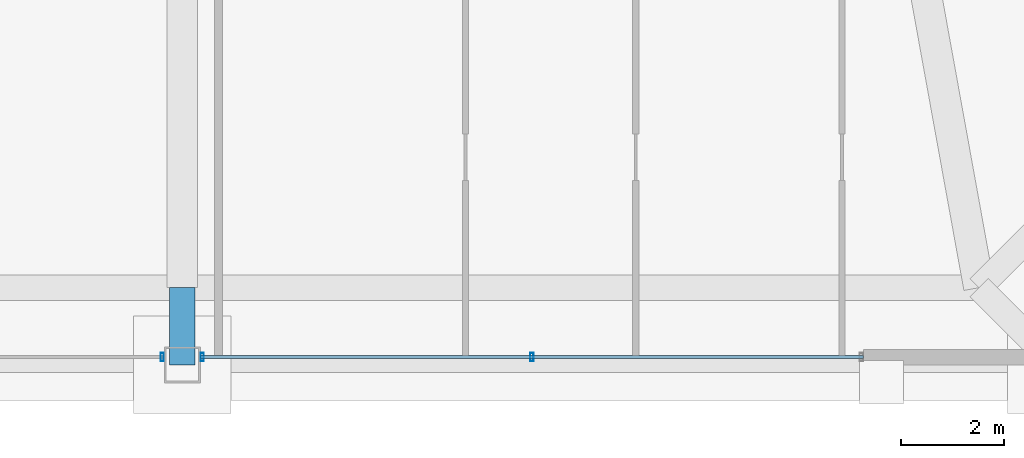
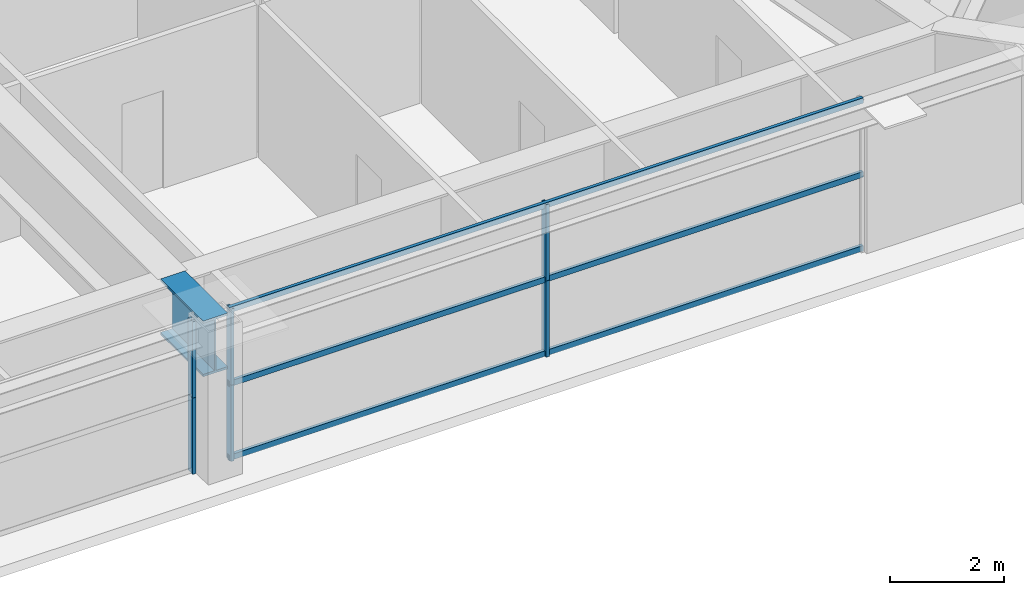
# One storey, part 10 of 33: 9 members, 1 beam, 2 elements without a shape of their own.
"""IFC4 building model written with IfcOpenShell, lengths in metres."""

from ifc_helpers import new_model, si_unit, direction, frame, origin, origin_2d, place, context, subcontext, project, spatial, hollow_rectangle, i_section, extrude, source, transform, mapped, material, layer, layer_set, material_profile, profile_set, type_object, element, aggregate, save


model = new_model("IFC4")

# Units and contexts
model_context = context("Model", 3, precision=1e-05, world=origin(), true_north=direction((0.0, 1.0)))
body_context = subcontext(model_context, "Body", "Model", "MODEL_VIEW")
ifc_project = project(units=[si_unit("LENGTHUNIT", "METRE"), si_unit("AREAUNIT", "SQUARE_METRE"), si_unit("VOLUMEUNIT", "CUBIC_METRE"), si_unit("PLANEANGLEUNIT", "RADIAN"), si_unit("MASSUNIT", "GRAM", prefix="KILO"), si_unit("THERMODYNAMICTEMPERATUREUNIT", "KELVIN"), si_unit("POWERUNIT", "WATT")], contexts=[model_context])

# Site, building, storey
site_placement = place(None, origin())
site = spatial("IfcSite", under=ifc_project, at=site_placement, CompositionType="ELEMENT")
building_placement = place(site_placement, origin())
building = spatial("IfcBuilding", under=site, at=building_placement, Name="Yuzanri Waterfront Tower", CompositionType="ELEMENT")
storey_placement = place(building_placement, frame((0.0, 0.0, 282.10009765625)))
storey = spatial("IfcBuildingStorey", under=building, at=storey_placement, Name="L75", CompositionType="ELEMENT", Elevation=282.10009765625)

# Beam
ifc_material_1 = material(Name="Steel Q420GJC", Category="steel")
ifc_material_profile_1 = material_profile(ifc_material_1, i_section(OverallWidth=0.5, OverallDepth=1.199951171875, WebThickness=0.028076171875, FlangeThickness=0.050048828125, at=origin_2d()), Name="PG 1200x500x28x50")
ifc_profile_set_1 = profile_set([ifc_material_profile_1], Name="Steel Q420GJC")
beam_type = type_object("IfcBeamType", Name="Setback Transfer Girder Q420GJC PG 1200x500", PredefinedType="USERDEFINED", material=ifc_profile_set_1)
shared_shape_1 = source(origin(), body_context, "Body", "SweptSolid", [
    extrude(i_section(OverallWidth=0.5, OverallDepth=1.199951171875, WebThickness=0.028076171875, FlangeThickness=0.050048828125, at=origin_2d()), origin(), (0.0, 0.0, 1.0), 1.5),
])
beam_placement = place(storey_placement, frame((37.0, 6.699951171875, 2.679931640625), z_axis=(0.0, -1.0, 0.0), x_axis=(1.0, 0.0, 0.0)))
element("IfcBeam", 1, at=beam_placement, inside=storey, type_object=beam_type, Name="L75 Setback Step Transfer S2", ObjectType="GIRDER", PredefinedType="USERDEFINED", context=body_context, shape_type="MappedRepresentation", body=[
    mapped(shared_shape_1, transform((0.0, 0.0, 0.0), scale=1.0)),
])

# Curtain wall, members
ifc_material_2 = material(Name="Anodized Architectural Bronze", Category="metal")
ifc_layer = layer(ifc_material_2, 0.159912109375)
ifc_layer_set = layer_set([ifc_layer], Name="Anodized Architectural Bronze")
curtain_wall_type = type_object("IfcCurtainWallType", Name="Anodized Bronze Mid-Rise Residential Acoustic Unitized Curtain Wall 7200", PredefinedType="NOTDEFINED", material=ifc_layer_set)
curtain_wall_1_placement = place(storey_placement, origin())
curtain_wall_1 = element("IfcCurtainWall", 2, at=curtain_wall_1_placement, inside=storey, type_object=curtain_wall_type, Name="L75 Curtain Wall CW-L75-SL", PredefinedType="NOTDEFINED")
ifc_material_3 = material(Name="Anodized Architectural Bronze", Category="metal")
ifc_material_profile_2 = material_profile(ifc_material_3, hollow_rectangle(XDim=0.06494140625, YDim=0.159912109375, WallThickness=0.00341796875, at=origin_2d()), Name="CWM 65x160")
ifc_profile_set_2 = profile_set([ifc_material_profile_2], Name="Anodized Architectural Bronze")
member_type_1 = type_object("IfcMemberType", Name="Anodized Bronze Upper-Zone Curtain-Wall Mullion 65x160", PredefinedType="MULLION", material=ifc_profile_set_2)
shared_shape_2 = source(origin(), body_context, "Body", "SweptSolid", [
    extrude(hollow_rectangle(XDim=0.06494140625, YDim=0.159912109375, WallThickness=0.00341796875, at=origin_2d()), origin(), (0.0, 0.0, 1.0), 1.637939453125),
])
member_1_placement = place(storey_placement, frame((36.610107421875, 5.35009765625, 0.0), z_axis=(0.0, 0.0, 1.0), x_axis=(1.0, 0.0, 0.0)))
member_1 = element("IfcMember", 3, at=member_1_placement, type_object=member_type_1, Name="CW-L75-SL Lower Mullion 02", PredefinedType="MULLION", context=body_context, shape_type="MappedRepresentation", body=[
    mapped(shared_shape_2, transform((0.0, 0.0, 0.0), scale=1.0)),
])
member_2_placement = place(storey_placement, frame((36.610107421875, 5.35009765625, 1.641845703125), z_axis=(0.0, 0.0, 1.0), x_axis=(1.0, 0.0, 0.0)))
member_2 = element("IfcMember", 4, at=member_2_placement, type_object=member_type_1, Name="CW-L75-SL Upper Mullion 02", PredefinedType="MULLION", context=body_context, shape_type="MappedRepresentation", body=[
    mapped(shared_shape_2, transform((0.0, 0.0, 0.0), scale=1.0)),
])
aggregate(curtain_wall_1, [member_1, member_2])

curtain_wall_2_placement = place(storey_placement, origin())
curtain_wall_2 = element("IfcCurtainWall", 5, at=curtain_wall_2_placement, inside=storey, type_object=curtain_wall_type, Name="L75 Curtain Wall CW-L75-SR", PredefinedType="NOTDEFINED")
member_3_placement = place(storey_placement, frame((37.389892578125, 5.35009765625, 0.0), z_axis=(0.0, 0.0, 1.0), x_axis=(1.0, 0.0, 0.0)))
member_3 = element("IfcMember", 6, at=member_3_placement, type_object=member_type_1, Name="CW-L75-SR Lower Mullion 00", PredefinedType="MULLION", context=body_context, shape_type="MappedRepresentation", body=[
    mapped(shared_shape_2, transform((0.0, 0.0, 0.0), scale=1.0)),
])
member_4_placement = place(storey_placement, frame((37.389892578125, 5.35009765625, 1.641845703125), z_axis=(0.0, 0.0, 1.0), x_axis=(1.0, 0.0, 0.0)))
member_4 = element("IfcMember", 7, at=member_4_placement, type_object=member_type_1, Name="CW-L75-SR Upper Mullion 00", PredefinedType="MULLION", context=body_context, shape_type="MappedRepresentation", body=[
    mapped(shared_shape_2, transform((0.0, 0.0, 0.0), scale=1.0)),
])
member_5_placement = place(storey_placement, frame((43.800048828125, 5.35009765625, 0.0), z_axis=(0.0, 0.0, 1.0), x_axis=(1.0, 0.0, 0.0)))
member_5 = element("IfcMember", 8, at=member_5_placement, type_object=member_type_1, Name="CW-L75-SR Lower Mullion 01", PredefinedType="MULLION", context=body_context, shape_type="MappedRepresentation", body=[
    mapped(shared_shape_2, transform((0.0, 0.0, 0.0), scale=1.0)),
])
member_6_placement = place(storey_placement, frame((43.800048828125, 5.35009765625, 1.641845703125), z_axis=(0.0, 0.0, 1.0), x_axis=(1.0, 0.0, 0.0)))
member_6 = element("IfcMember", 9, at=member_6_placement, type_object=member_type_1, Name="CW-L75-SR Upper Mullion 01", PredefinedType="MULLION", context=body_context, shape_type="MappedRepresentation", body=[
    mapped(shared_shape_2, transform((0.0, 0.0, 0.0), scale=1.0)),
])
ifc_material_4 = material(Name="Anodized Architectural Bronze", Category="metal")
ifc_material_profile_3 = material_profile(ifc_material_4, hollow_rectangle(XDim=0.06494140625, YDim=0.1201171875, WallThickness=0.00341796875, at=origin_2d()), Name="CWT 65x120")
ifc_profile_set_3 = profile_set([ifc_material_profile_3], Name="Anodized Architectural Bronze")
member_type_2 = type_object("IfcMemberType", Name="Anodized Bronze Secondary Curtain-Wall Transom 65x120", PredefinedType="USERDEFINED", material=ifc_profile_set_3)
shared_shape_3 = source(origin(), body_context, "Body", "SweptSolid", [
    extrude(hollow_rectangle(XDim=0.06494140625, YDim=0.1201171875, WallThickness=0.00341796875, at=origin_2d()), origin(), (0.0, 0.0, 1.0), 12.89990234375),
])
member_7_placement = place(storey_placement, frame((37.35009765625, 5.35009765625, 0.0498046875), z_axis=(1.0, 0.0, 0.0), x_axis=(0.0, 1.0, 0.0)))
member_7 = element("IfcMember", 10, at=member_7_placement, type_object=member_type_2, Name="CW-L75-SR Transom 1", ObjectType="TRANSOM", PredefinedType="USERDEFINED", context=body_context, shape_type="MappedRepresentation", body=[
    mapped(shared_shape_3, transform((0.0, 0.0, 0.0), scale=1.0)),
])
member_8_placement = place(storey_placement, frame((37.35009765625, 5.35009765625, 1.639892578125), z_axis=(1.0, 0.0, 0.0), x_axis=(0.0, 1.0, 0.0)))
member_8 = element("IfcMember", 11, at=member_8_placement, type_object=member_type_2, Name="CW-L75-SR Transom 2", ObjectType="TRANSOM", PredefinedType="USERDEFINED", context=body_context, shape_type="MappedRepresentation", body=[
    mapped(shared_shape_3, transform((0.0, 0.0, 0.0), scale=1.0)),
])
member_9_placement = place(storey_placement, frame((37.35009765625, 5.35009765625, 3.22998046875), z_axis=(1.0, 0.0, 0.0), x_axis=(0.0, 1.0, 0.0)))
member_9 = element("IfcMember", 12, at=member_9_placement, type_object=member_type_2, Name="CW-L75-SR Transom 3", ObjectType="TRANSOM", PredefinedType="USERDEFINED", context=body_context, shape_type="MappedRepresentation", body=[
    mapped(shared_shape_3, transform((0.0, 0.0, 0.0), scale=1.0)),
])
aggregate(curtain_wall_2, [member_3, member_4, member_5, member_6, member_7, member_8, member_9])

save(model, "model.ifc")
